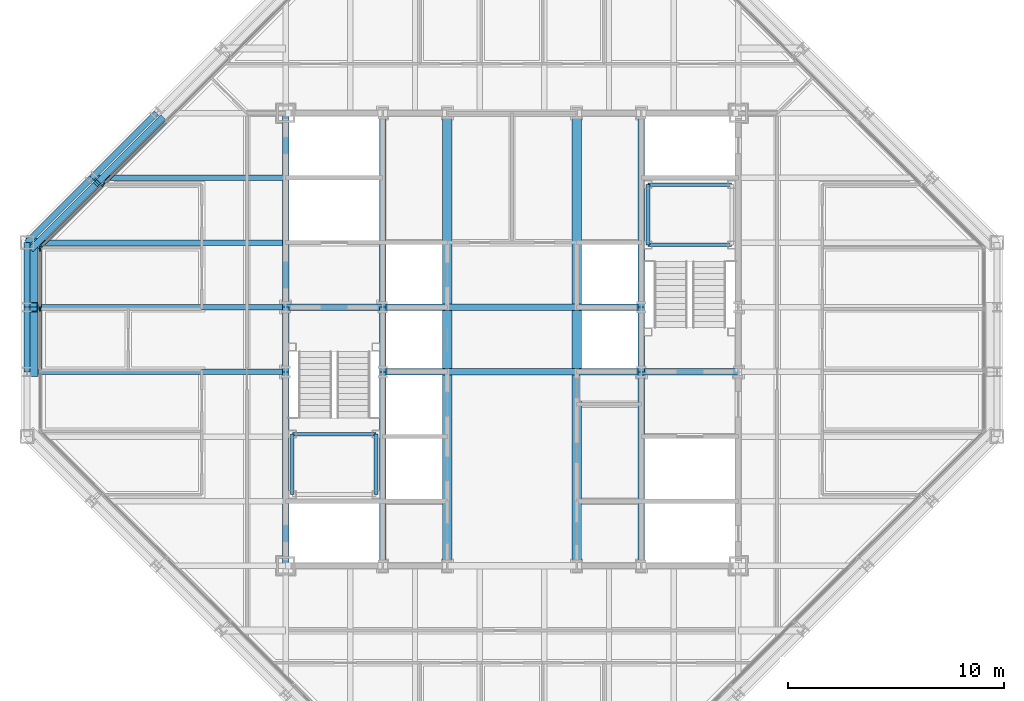
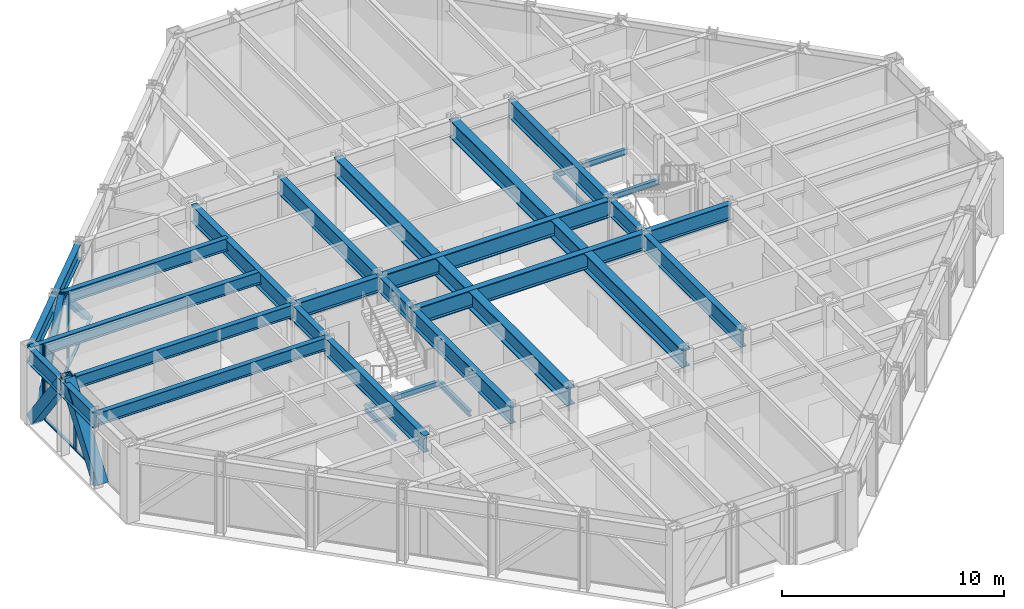
# One storey, part 6 of 15: 33 beams, 12 members, 2 elements without a shape of their own.
"""IFC4 building model written with IfcOpenShell, lengths in metres."""

from ifc_helpers import new_model, si_unit, direction, frame, origin, origin_2d, place, context, subcontext, project, spatial, rectangle, hollow_rectangle, i_section, extrude, material, layer, layer_set, material_profile, profile_set, type_object, element, aggregate, save


model = new_model("IFC4")

# Units and contexts
model_context = context("Model", 3, precision=1e-05, world=origin(), true_north=direction((0.0, 1.0)))
body_context = subcontext(model_context, "Body", "Model", "MODEL_VIEW")
ifc_project = project(units=[si_unit("LENGTHUNIT", "METRE"), si_unit("AREAUNIT", "SQUARE_METRE"), si_unit("VOLUMEUNIT", "CUBIC_METRE"), si_unit("PLANEANGLEUNIT", "RADIAN"), si_unit("MASSUNIT", "GRAM", prefix="KILO")], contexts=[model_context])

# Site, building, storey
site_placement = place(None, origin())
site = spatial("IfcSite", under=ifc_project, at=site_placement, CompositionType="ELEMENT")
building_placement = place(site_placement, origin())
building = spatial("IfcBuilding", under=site, at=building_placement, Name="Chuquiago Exchange Tower", CompositionType="ELEMENT")
storey_placement = place(building_placement, frame((0.0, 0.0, 270.60009765625)))
storey = spatial("IfcBuildingStorey", under=building, at=storey_placement, Name="L60", CompositionType="ELEMENT", Elevation=270.60009765625)

# Beams
ifc_material_1 = material(Name="Steel ASTM A992", Category="steel")
ifc_material_profile_1 = material_profile(ifc_material_1, i_section(OverallWidth=0.25390625, OverallDepth=0.683349609375, WebThickness=0.012451171875, FlangeThickness=0.018798828125, at=origin_2d()), Name="W27X94")
ifc_profile_set_1 = profile_set([ifc_material_profile_1], Name="Steel ASTM A992")
beam_type_1 = type_object("IfcBeamType", Name="B1 W27X94", PredefinedType="BEAM", material=ifc_profile_set_1)
for number, where, z_axis, x_axis, name in (
    (1, (12.0, 21.0, 3.6982421875), (-1.0, 0.0, 0.0), (0.0, -1.0, 0.0), "FB-L61-infill-12_21--0_21-0"),
    (2, (12.0, 24.0, 3.6982421875), (-1.0, 0.0, 0.0), (0.0, -1.0, 0.0), "FB-L61-infill-12_24--0_24-0"),
    (3, (12.0, 27.0, 3.6982421875), (-1.0, 0.0, 0.0), (0.0, -1.0, 0.0), "FB-L61-infill-12_27--0_27-0"),
):
    element("IfcBeam", number, at=place(storey_placement, frame(where, z_axis=z_axis, x_axis=x_axis)), inside=storey, type_object=beam_type_1, Name=name, PredefinedType="BEAM", context=body_context, shape_type="SweptSolid", body=[
        extrude(i_section(OverallWidth=0.25390625, OverallDepth=0.683349609375, WebThickness=0.012451171875, FlangeThickness=0.018798828125, at=origin_2d()), origin(), (0.0, 0.0, 1.0), 12.0),
    ])
beam_1_placement = place(storey_placement, frame((12.0, 30.0, 3.6982421875), z_axis=(-1.0, 0.0, 0.0), x_axis=(0.0, -1.0, 0.0)))
element("IfcBeam", 4, at=beam_1_placement, inside=storey, type_object=beam_type_1, Name="FB-L61-infill-12_30-3_30-0", PredefinedType="BEAM", context=body_context, shape_type="SweptSolid", body=[
    extrude(i_section(OverallWidth=0.25390625, OverallDepth=0.683349609375, WebThickness=0.012451171875, FlangeThickness=0.018798828125, at=origin_2d()), origin(), (0.0, 0.0, 1.0), 9.0),
])
ifc_material_2 = material(Name="Steel ASTM A992", Category="steel")
ifc_material_profile_2 = material_profile(ifc_material_2, i_section(OverallWidth=0.307373046875, OverallDepth=0.927001953125, WebThickness=0.01953125, FlangeThickness=0.031982421875, at=origin_2d()), Name="W36X194")
ifc_profile_set_2 = profile_set([ifc_material_profile_2], Name="Steel ASTM A992")
beam_type_2 = type_object("IfcBeamType", Name="B10 W36X194", PredefinedType="BEAM", material=ifc_profile_set_2)
for number, where, z_axis, x_axis, name in (
    (5, (12.0, 12.0, 3.576416015625), (0.0, 1.0, 0.0), (-1.0, 0.0, 0.0), "CB-L61-12_12-12_21"),
    (6, (12.0, 24.0, 3.576416015625), (0.0, 1.0, 0.0), (-1.0, 0.0, 0.0), "CB-L61-12_24-12_33"),
    (7, (16.5, 12.0, 3.576416015625), (0.0, 1.0, 0.0), (-1.0, 0.0, 0.0), "CB-L61-16.5_12-16.5_21"),
    (8, (16.5, 24.0, 3.576416015625), (0.0, 1.0, 0.0), (-1.0, 0.0, 0.0), "CB-L61-16.5_24-16.5_33"),
    (9, (28.5, 12.0, 3.576416015625), (0.0, 1.0, 0.0), (-1.0, 0.0, 0.0), "CB-L61-28.5_12-28.5_21"),
    (10, (28.5, 24.0, 3.576416015625), (0.0, 1.0, 0.0), (-1.0, 0.0, 0.0), "CB-L61-28.5_24-28.5_33"),
):
    element("IfcBeam", number, at=place(storey_placement, frame(where, z_axis=z_axis, x_axis=x_axis)), inside=storey, type_object=beam_type_2, Name=name, PredefinedType="BEAM", context=body_context, shape_type="SweptSolid", body=[
        extrude(i_section(OverallWidth=0.307373046875, OverallDepth=0.927001953125, WebThickness=0.01953125, FlangeThickness=0.031982421875, at=origin_2d()), origin(), (0.0, 0.0, 1.0), 9.0),
    ])
ifc_material_3 = material(Name="Steel ASTM A992", Category="steel")
ifc_material_profile_3 = material_profile(ifc_material_3, i_section(OverallWidth=0.309814453125, OverallDepth=0.949951171875, WebThickness=0.0244140625, FlangeThickness=0.0439453125, at=origin_2d()), Name="W36X256")
ifc_profile_set_3 = profile_set([ifc_material_profile_3], Name="Steel ASTM A992")
beam_type_3 = type_object("IfcBeamType", Name="B11 W36X256", PredefinedType="BEAM", material=ifc_profile_set_3)
for number, where, z_axis, x_axis, name in (
    (11, (16.5, 21.0, 3.56494140625), (1.0, 0.0, 0.0), (0.0, 1.0, 0.0), "CB-L61-16.5_21-28.5_21"),
    (12, (16.5, 24.0, 3.56494140625), (1.0, 0.0, 0.0), (0.0, 1.0, 0.0), "CB-L61-16.5_24-28.5_24"),
):
    element("IfcBeam", number, at=place(storey_placement, frame(where, z_axis=z_axis, x_axis=x_axis)), inside=storey, type_object=beam_type_3, Name=name, PredefinedType="BEAM", context=body_context, shape_type="SweptSolid", body=[
        extrude(i_section(OverallWidth=0.309814453125, OverallDepth=0.949951171875, WebThickness=0.0244140625, FlangeThickness=0.0439453125, at=origin_2d()), origin(), (0.0, 0.0, 1.0), 12.0),
    ])
ifc_material_4 = material(Name="Steel ASTM A992", Category="steel")
ifc_material_profile_4 = material_profile(ifc_material_4, i_section(OverallWidth=0.4267578125, OverallDepth=0.975341796875, WebThickness=0.031005859375, FlangeThickness=0.055908203125, at=origin_2d()), Name="W36X395")
ifc_profile_set_4 = profile_set([ifc_material_profile_4], Name="Steel ASTM A992")
beam_type_4 = type_object("IfcBeamType", Name="B12 W36X395", PredefinedType="BEAM", material=ifc_profile_set_4)
beam_2_placement = place(storey_placement, frame((19.5, 12.0, 3.55224609375), z_axis=(0.0, 1.0, 0.0), x_axis=(-1.0, 0.0, 0.0)))
element("IfcBeam", 13, at=beam_2_placement, inside=storey, type_object=beam_type_4, Name="CB-L61-19.5_12-19.5_20.8451", PredefinedType="BEAM", context=body_context, shape_type="SweptSolid", body=[
    extrude(i_section(OverallWidth=0.4267578125, OverallDepth=0.975341796875, WebThickness=0.031005859375, FlangeThickness=0.055908203125, at=origin_2d()), origin(), (0.0, 0.0, 1.0), 8.84521484375),
])
beam_3_placement = place(storey_placement, frame((19.5, 21.15478515625, 3.55224609375), z_axis=(0.0, 1.0, 0.0), x_axis=(-1.0, 0.0, 0.0)))
element("IfcBeam", 14, at=beam_3_placement, inside=storey, type_object=beam_type_4, Name="CB-L61-19.5_21.1549-19.5_23.8451", PredefinedType="BEAM", context=body_context, shape_type="SweptSolid", body=[
    extrude(i_section(OverallWidth=0.4267578125, OverallDepth=0.975341796875, WebThickness=0.031005859375, FlangeThickness=0.055908203125, at=origin_2d()), origin(), (0.0, 0.0, 1.0), 2.6904296875),
])
for number, where, z_axis, x_axis, name in (
    (15, (19.5, 24.15478515625, 3.55224609375), (0.0, 1.0, 0.0), (-1.0, 0.0, 0.0), "CB-L61-19.5_24.1549-19.5_33"),
    (16, (25.5, 12.0, 3.55224609375), (0.0, 1.0, 0.0), (-1.0, 0.0, 0.0), "CB-L61-25.5_12-25.5_20.8451"),
):
    element("IfcBeam", number, at=place(storey_placement, frame(where, z_axis=z_axis, x_axis=x_axis)), inside=storey, type_object=beam_type_4, Name=name, PredefinedType="BEAM", context=body_context, shape_type="SweptSolid", body=[
        extrude(i_section(OverallWidth=0.4267578125, OverallDepth=0.975341796875, WebThickness=0.031005859375, FlangeThickness=0.055908203125, at=origin_2d()), origin(), (0.0, 0.0, 1.0), 8.84521484375),
    ])
beam_4_placement = place(storey_placement, frame((25.5, 21.15478515625, 3.55224609375), z_axis=(0.0, 1.0, 0.0), x_axis=(-1.0, 0.0, 0.0)))
element("IfcBeam", 17, at=beam_4_placement, inside=storey, type_object=beam_type_4, Name="CB-L61-25.5_21.1549-25.5_23.8451", PredefinedType="BEAM", context=body_context, shape_type="SweptSolid", body=[
    extrude(i_section(OverallWidth=0.4267578125, OverallDepth=0.975341796875, WebThickness=0.031005859375, FlangeThickness=0.055908203125, at=origin_2d()), origin(), (0.0, 0.0, 1.0), 2.6904296875),
])
beam_5_placement = place(storey_placement, frame((25.5, 24.15478515625, 3.55224609375), z_axis=(0.0, 1.0, 0.0), x_axis=(-1.0, 0.0, 0.0)))
element("IfcBeam", 18, at=beam_5_placement, inside=storey, type_object=beam_type_4, Name="CB-L61-25.5_24.1549-25.5_33", PredefinedType="BEAM", context=body_context, shape_type="SweptSolid", body=[
    extrude(i_section(OverallWidth=0.4267578125, OverallDepth=0.975341796875, WebThickness=0.031005859375, FlangeThickness=0.055908203125, at=origin_2d()), origin(), (0.0, 0.0, 1.0), 8.84521484375),
])
ifc_material_5 = material(Name="Steel ASTM A992", Category="steel")
ifc_material_profile_5 = material_profile(ifc_material_5, i_section(OverallWidth=0.2919921875, OverallDepth=0.8583984375, WebThickness=0.01708984375, FlangeThickness=0.031005859375, at=origin_2d()), Name="W33X169")
ifc_profile_set_5 = profile_set([ifc_material_profile_5], Name="Steel ASTM A992")
beam_type_5 = type_object("IfcBeamType", Name="B3 W33X169", PredefinedType="BEAM", material=ifc_profile_set_5)
for number, where, z_axis, x_axis, name in (
    (19, (12.0, 21.0, 3.610595703125), (0.0, 1.0, 0.0), (-1.0, 0.0, 0.0), "CB-L61-12_21-12_24"),
    (20, (16.5, 21.0, 3.610595703125), (0.0, 1.0, 0.0), (-1.0, 0.0, 0.0), "CB-L61-16.5_21-16.5_24"),
    (21, (28.5, 21.0, 3.610595703125), (0.0, 1.0, 0.0), (-1.0, 0.0, 0.0), "CB-L61-28.5_21-28.5_24"),
):
    element("IfcBeam", number, at=place(storey_placement, frame(where, z_axis=z_axis, x_axis=x_axis)), inside=storey, type_object=beam_type_5, Name=name, PredefinedType="BEAM", context=body_context, shape_type="SweptSolid", body=[
        extrude(i_section(OverallWidth=0.2919921875, OverallDepth=0.8583984375, WebThickness=0.01708984375, FlangeThickness=0.031005859375, at=origin_2d()), origin(), (0.0, 0.0, 1.0), 3.0),
    ])
for number, where, z_axis, x_axis, name in (
    (22, (28.5, 21.0, 3.610595703125), (1.0, 0.0, 0.0), (0.0, 1.0, 0.0), "CB-L61-28.5_21-33_21"),
    (23, (12.0, 24.0, 3.610595703125), (1.0, 0.0, 0.0), (0.0, 1.0, 0.0), "CB-L61-12_24-16.5_24"),
):
    element("IfcBeam", number, at=place(storey_placement, frame(where, z_axis=z_axis, x_axis=x_axis)), inside=storey, type_object=beam_type_5, Name=name, PredefinedType="BEAM", context=body_context, shape_type="SweptSolid", body=[
        extrude(i_section(OverallWidth=0.2919921875, OverallDepth=0.8583984375, WebThickness=0.01708984375, FlangeThickness=0.031005859375, at=origin_2d()), origin(), (0.0, 0.0, 1.0), 4.5),
    ])

# Curtain wall, members
ifc_material_6 = material(Name="Aluminium curtain wall system", Category="aluminium")
ifc_layer_1 = layer(ifc_material_6, 0.22509765625)
ifc_layer_set_1 = layer_set([ifc_layer_1], Name="CW2 office curtain wall")
curtain_wall_type_1 = type_object("IfcCurtainWallType", Name="CW2 office curtain wall", PredefinedType="NOTDEFINED", material=ifc_layer_set_1)
curtain_wall_1_placement = place(storey_placement, origin())
curtain_wall_1 = element("IfcCurtainWall", 24, at=curtain_wall_1_placement, inside=storey, type_object=curtain_wall_type_1, Name="CW2 curtain wall L60", PredefinedType="NOTDEFINED")
ifc_material_7 = material(Name="Aluminium mullion, pale anodised", Category="aluminium")
ifc_material_profile_6 = material_profile(ifc_material_7, rectangle(XDim=0.06494140625, YDim=0.22509765625, at=origin_2d()), Name="AL 65x225")
ifc_profile_set_6 = profile_set([ifc_material_profile_6], Name="Aluminium mullion, pale anodised")
member_type_1 = type_object("IfcMemberType", Name="CW2-M mullion 65x225", PredefinedType="MULLION", material=ifc_profile_set_6)
member_1_placement = place(storey_placement, frame((0.60009765625, 26.718994140625, 0.0), z_axis=(0.0, 0.0, 1.0), x_axis=(1.0, 0.0, 0.0)))
member_1 = element("IfcMember", 25, at=member_1_placement, type_object=member_type_1, Name="CW2 mullion 1", PredefinedType="MULLION", context=body_context, shape_type="SweptSolid", body=[
    extrude(rectangle(XDim=0.06494140625, YDim=0.22509765625, at=origin_2d()), origin(), (0.0, 0.0, 1.0), 4.039794921875),
])
member_2_placement = place(storey_placement, frame((0.60009765625, 23.917236328125, 0.0), z_axis=(0.0, 0.0, 1.0), x_axis=(1.0, 0.0, 0.0)))
member_2 = element("IfcMember", 26, at=member_2_placement, type_object=member_type_1, Name="CW2 mullion 2", PredefinedType="MULLION", context=body_context, shape_type="SweptSolid", body=[
    extrude(rectangle(XDim=0.06494140625, YDim=0.22509765625, at=origin_2d()), origin(), (0.0, 0.0, 1.0), 4.039794921875),
])
ifc_material_8 = material(Name="Aluminium transom, pale anodised", Category="aluminium")
ifc_material_profile_7 = material_profile(ifc_material_8, rectangle(XDim=0.139892578125, YDim=0.06494140625, at=origin_2d()), Name="AL 140x65")
ifc_profile_set_7 = profile_set([ifc_material_profile_7], Name="Aluminium transom, pale anodised")
member_type_2 = type_object("IfcMemberType", Name="CW2-T transom 65x140", PredefinedType="MULLION", material=ifc_profile_set_7)
member_3_placement = place(storey_placement, frame((0.60009765625, 26.6865234375, 0.032470703125), z_axis=(0.0, -1.0, 0.0), x_axis=(1.0, 0.0, 0.0)))
member_3 = element("IfcMember", 27, at=member_3_placement, type_object=member_type_2, Name="CW2 transom 1.1", PredefinedType="MULLION", context=body_context, shape_type="SweptSolid", body=[
    extrude(rectangle(XDim=0.139892578125, YDim=0.06494140625, at=origin_2d()), origin(), (0.0, 0.0, 1.0), 2.73681640625),
])
member_4_placement = place(storey_placement, frame((0.60009765625, 23.884765625, 0.032470703125), z_axis=(0.0, -1.0, 0.0), x_axis=(1.0, 0.0, 0.0)))
member_4 = element("IfcMember", 28, at=member_4_placement, type_object=member_type_2, Name="CW2 transom 2.1", PredefinedType="MULLION", context=body_context, shape_type="SweptSolid", body=[
    extrude(rectangle(XDim=0.139892578125, YDim=0.06494140625, at=origin_2d()), origin(), (0.0, 0.0, 1.0), 2.76953125),
])
aggregate(curtain_wall_1, [member_1, member_2, member_3, member_4])

ifc_material_9 = material(Name="Aluminium curtain wall system", Category="aluminium")
ifc_layer_2 = layer(ifc_material_9, 0.199951171875)
ifc_layer_set_2 = layer_set([ifc_layer_2], Name="CW3 facet curtain wall")
curtain_wall_type_2 = type_object("IfcCurtainWallType", Name="CW3 facet curtain wall", PredefinedType="NOTDEFINED", material=ifc_layer_set_2)
curtain_wall_2_placement = place(storey_placement, origin())
curtain_wall_2 = element("IfcCurtainWall", 29, at=curtain_wall_2_placement, inside=storey, type_object=curtain_wall_type_2, Name="CW3 curtain wall L60", PredefinedType="NOTDEFINED")
ifc_material_10 = material(Name="Aluminium mullion, pale anodised", Category="aluminium")
ifc_material_profile_8 = material_profile(ifc_material_10, rectangle(XDim=0.06494140625, YDim=0.199951171875, at=origin_2d()), Name="AL 65x200")
ifc_profile_set_8 = profile_set([ifc_material_profile_8], Name="Aluminium mullion, pale anodised")
member_type_3 = type_object("IfcMemberType", Name="CW3-M mullion 65x200", PredefinedType="MULLION", material=ifc_profile_set_8)
member_5_placement = place(storey_placement, frame((3.54150390625, 29.69287109375, 0.0), z_axis=(0.0, 0.0, 1.0), x_axis=(0.707106781187, -0.707106781187, 0.0)))
member_5 = element("IfcMember", 30, at=member_5_placement, type_object=member_type_3, Name="CW3 mullion 6", PredefinedType="MULLION", context=body_context, shape_type="SweptSolid", body=[
    extrude(rectangle(XDim=0.06494140625, YDim=0.199951171875, at=origin_2d()), origin(), (0.0, 0.0, 1.0), 4.039794921875),
])
member_6_placement = place(storey_placement, frame((0.623046875, 26.7744140625, 0.0), z_axis=(0.0, 0.0, 1.0), x_axis=(0.707106781187, -0.707106781187, 0.0)))
member_6 = element("IfcMember", 31, at=member_6_placement, type_object=member_type_3, Name="CW3 mullion 7", PredefinedType="MULLION", context=body_context, shape_type="SweptSolid", body=[
    extrude(rectangle(XDim=0.06494140625, YDim=0.199951171875, at=origin_2d()), origin(), (0.0, 0.0, 1.0), 4.039794921875),
])
ifc_material_11 = material(Name="Aluminium transom, pale anodised", Category="aluminium")
ifc_material_profile_9 = material_profile(ifc_material_11, rectangle(XDim=0.139892578125, YDim=0.06494140625, at=origin_2d()), Name="AL 140x65")
ifc_profile_set_9 = profile_set([ifc_material_profile_9], Name="Aluminium transom, pale anodised")
member_type_4 = type_object("IfcMemberType", Name="CW3-T transom 65x140", PredefinedType="MULLION", material=ifc_profile_set_9)
member_7_placement = place(storey_placement, frame((6.4599609375, 32.611328125, 0.032470703125), z_axis=(-0.707106781187, -0.707106781187, 0.0), x_axis=(0.707106781187, -0.707106781187, 0.0)))
member_7 = element("IfcMember", 32, at=member_7_placement, type_object=member_type_4, Name="CW3 transom 5.1", PredefinedType="MULLION", context=body_context, shape_type="SweptSolid", body=[
    extrude(rectangle(XDim=0.139892578125, YDim=0.06494140625, at=origin_2d()), origin(), (0.0, 0.0, 1.0), 4.094970703125),
])
member_8_placement = place(storey_placement, frame((3.5185546875, 29.669921875, 0.032470703125), z_axis=(-0.707106781187, -0.707106781187, 0.0), x_axis=(0.707106781187, -0.707106781187, 0.0)))
member_8 = element("IfcMember", 33, at=member_8_placement, type_object=member_type_4, Name="CW3 transom 6.1", PredefinedType="MULLION", context=body_context, shape_type="SweptSolid", body=[
    extrude(rectangle(XDim=0.139892578125, YDim=0.06494140625, at=origin_2d()), origin(), (0.0, 0.0, 1.0), 4.0625),
])
aggregate(curtain_wall_2, [member_5, member_6, member_7, member_8])

# Members
ifc_material_12 = material(Name="Steel ASTM A500 Grade C", Category="steel")
ifc_material_profile_10 = material_profile(ifc_material_12, hollow_rectangle(XDim=0.3046875, YDim=0.3046875, WallThickness=0.0146484375, at=origin_2d()), Name="HSS12X12X5/8")
ifc_profile_set_10 = profile_set([ifc_material_profile_10], Name="Steel ASTM A500 Grade C")
member_type_5 = type_object("IfcMemberType", Name="LB3 HSS12X12X5/8", PredefinedType="BRACE", material=ifc_profile_set_10)
for number, where, z_axis, x_axis, name in (
    (34, (6.249267578125, 32.750732421875, 0.0), (-0.51209198167, -0.51209198167, 0.689582195694), (0.707106781187, -0.707106781187, 0.0), "LB-L60-6_33-3_30"),
    (35, (0.249267578125, 26.750732421875, 0.0), (0.51209198167, 0.51209198167, 0.689582195694), (-0.707106781187, 0.707106781187, 0.0), "LB-L60-3_30-0_27"),
):
    element("IfcMember", number, at=place(storey_placement, frame(where, z_axis=z_axis, x_axis=x_axis)), inside=storey, type_object=member_type_5, Name=name, PredefinedType="BRACE", context=body_context, shape_type="SweptSolid", body=[
        extrude(hollow_rectangle(XDim=0.3046875, YDim=0.3046875, WallThickness=0.0146484375, at=origin_2d()), origin(), (0.0, 0.0, 1.0), 5.8583984375),
    ])

# Beams
ifc_material_13 = material(Name="Steel ASTM A992", Category="steel")
ifc_material_profile_11 = material_profile(ifc_material_13, i_section(OverallWidth=0.164794921875, OverallDepth=0.309814453125, WebThickness=0.005859375, FlangeThickness=0.009765625, at=origin_2d()), Name="W12X26")
ifc_profile_set_11 = profile_set([ifc_material_profile_11], Name="Steel ASTM A992")
beam_type_6 = type_object("IfcBeamType", Name="LS1 W12X26", PredefinedType="BEAM", material=ifc_profile_set_11)
for number, where, z_axis, x_axis, name in (
    (36, (12.31005859375, 15.31005859375, 1.7451171875), (0.0, 1.0, 0.0), (-1.0, 0.0, 0.0), "Stair ST1 L60 landing 1 stringer"),
    (37, (16.18994140625, 15.31005859375, 1.7451171875), (0.0, 1.0, 0.0), (-1.0, 0.0, 0.0), "Stair ST1 L60 landing 1 stringer"),
    (38, (28.81005859375, 26.889892578125, 1.7451171875), (0.0, 1.0, 0.0), (-1.0, 0.0, 0.0), "Stair ST2 L60 landing 1 stringer"),
):
    element("IfcBeam", number, at=place(storey_placement, frame(where, z_axis=z_axis, x_axis=x_axis)), inside=storey, type_object=beam_type_6, Name=name, PredefinedType="BEAM", context=body_context, shape_type="SweptSolid", body=[
        extrude(i_section(OverallWidth=0.164794921875, OverallDepth=0.309814453125, WebThickness=0.005859375, FlangeThickness=0.009765625, at=origin_2d()), origin(), (0.0, 0.0, 1.0), 2.800048828125),
    ])
ifc_material_14 = material(Name="Steel ASTM A992", Category="steel")
ifc_material_profile_12 = material_profile(ifc_material_14, i_section(OverallWidth=0.164794921875, OverallDepth=0.309814453125, WebThickness=0.005859375, FlangeThickness=0.009765625, at=origin_2d()), Name="W12X26")
ifc_profile_set_12 = profile_set([ifc_material_profile_12], Name="Steel ASTM A992")
beam_type_7 = type_object("IfcBeamType", Name="LT1 W12X26", PredefinedType="BEAM", material=ifc_profile_set_12)
for number, where, z_axis, x_axis, name in (
    (39, (12.31005859375, 18.110107421875, 1.7451171875), (1.0, 0.0, 0.0), (0.0, 1.0, 0.0), "Stair ST1 L60 landing 1 trimmer"),
    (40, (28.81005859375, 29.68994140625, 1.7451171875), (1.0, 0.0, 0.0), (0.0, 1.0, 0.0), "Stair ST2 L60 landing 1 trimmer"),
    (41, (28.81005859375, 26.889892578125, 1.7451171875), (1.0, 0.0, 0.0), (0.0, 1.0, 0.0), "Stair ST2 L60 landing 1 trimmer"),
):
    element("IfcBeam", number, at=place(storey_placement, frame(where, z_axis=z_axis, x_axis=x_axis)), inside=storey, type_object=beam_type_7, Name=name, PredefinedType="BEAM", context=body_context, shape_type="SweptSolid", body=[
        extrude(i_section(OverallWidth=0.164794921875, OverallDepth=0.309814453125, WebThickness=0.005859375, FlangeThickness=0.009765625, at=origin_2d()), origin(), (0.0, 0.0, 1.0), 3.8798828125),
    ])

# Members
ifc_material_15 = material(Name="Steel ASTM A572 Grade 50", Category="steel")
ifc_material_profile_13 = material_profile(ifc_material_15, hollow_rectangle(XDim=0.550048828125, YDim=0.550048828125, WallThickness=0.044921875, at=origin_2d()), Name="BOX550X550X45")
ifc_profile_set_13 = profile_set([ifc_material_profile_13], Name="Steel ASTM A572 Grade 50")
member_type_6 = type_object("IfcMemberType", Name="MB4 BOX550X550X45", PredefinedType="BRACE", material=ifc_profile_set_13)
for number, where, z_axis, x_axis, name in (
    (42, (0.22998046875, 27.0, 0.0), (0.0, -0.596197146086, 0.802838067732), (1.0, 0.0, 0.0), "Mega diagonal L60 W face"),
    (43, (0.22998046875, 21.0, 0.0), (0.0, 0.596197146086, 0.802838067732), (-1.0, 0.0, 0.0), "Mega diagonal L60 W face"),
):
    element("IfcMember", number, at=place(storey_placement, frame(where, z_axis=z_axis, x_axis=x_axis)), inside=storey, type_object=member_type_6, Name=name, PredefinedType="BRACE", context=body_context, shape_type="SweptSolid", body=[
        extrude(hollow_rectangle(XDim=0.550048828125, YDim=0.550048828125, WallThickness=0.044921875, at=origin_2d()), origin(), (0.0, 0.0, 1.0), 5.031982421875),
    ])

# Beams
ifc_material_16 = material(Name="Steel ASTM A992", Category="steel")
ifc_material_profile_14 = material_profile(ifc_material_16, i_section(OverallWidth=0.2919921875, OverallDepth=0.8583984375, WebThickness=0.01708984375, FlangeThickness=0.031005859375, at=origin_2d()), Name="W33X169")
ifc_profile_set_14 = profile_set([ifc_material_profile_14], Name="Steel ASTM A992")
beam_type_8 = type_object("IfcBeamType", Name="SP4 W33X169", PredefinedType="SPANDREL", material=ifc_profile_set_14)
for number, where, z_axis, x_axis, name in (
    (44, (6.0, 33.0, 3.610595703125), (-0.707106781187, -0.707106781187, 0.0), (0.707106781187, -0.707106781187, 0.0), "SPB-L61-6_33-3_30"),
    (45, (3.0, 30.0, 3.610595703125), (-0.707106781187, -0.707106781187, 0.0), (0.707106781187, -0.707106781187, 0.0), "SPB-L61-3_30-0_27"),
):
    element("IfcBeam", number, at=place(storey_placement, frame(where, z_axis=z_axis, x_axis=x_axis)), inside=storey, type_object=beam_type_8, Name=name, PredefinedType="SPANDREL", context=body_context, shape_type="SweptSolid", body=[
        extrude(i_section(OverallWidth=0.2919921875, OverallDepth=0.8583984375, WebThickness=0.01708984375, FlangeThickness=0.031005859375, at=origin_2d()), origin(), (0.0, 0.0, 1.0), 4.24267578125),
    ])
for number, where, z_axis, x_axis, name in (
    (46, (0.0, 27.0, 3.610595703125), (0.0, -1.0, 0.0), (1.0, 0.0, 0.0), "SPB-L61-0_27-0_24"),
    (47, (0.0, 24.0, 3.610595703125), (0.0, -1.0, 0.0), (1.0, 0.0, 0.0), "SPB-L61-0_24-0_21"),
):
    element("IfcBeam", number, at=place(storey_placement, frame(where, z_axis=z_axis, x_axis=x_axis)), inside=storey, type_object=beam_type_8, Name=name, PredefinedType="SPANDREL", context=body_context, shape_type="SweptSolid", body=[
        extrude(i_section(OverallWidth=0.2919921875, OverallDepth=0.8583984375, WebThickness=0.01708984375, FlangeThickness=0.031005859375, at=origin_2d()), origin(), (0.0, 0.0, 1.0), 3.0),
    ])

save(model, "model.ifc")
